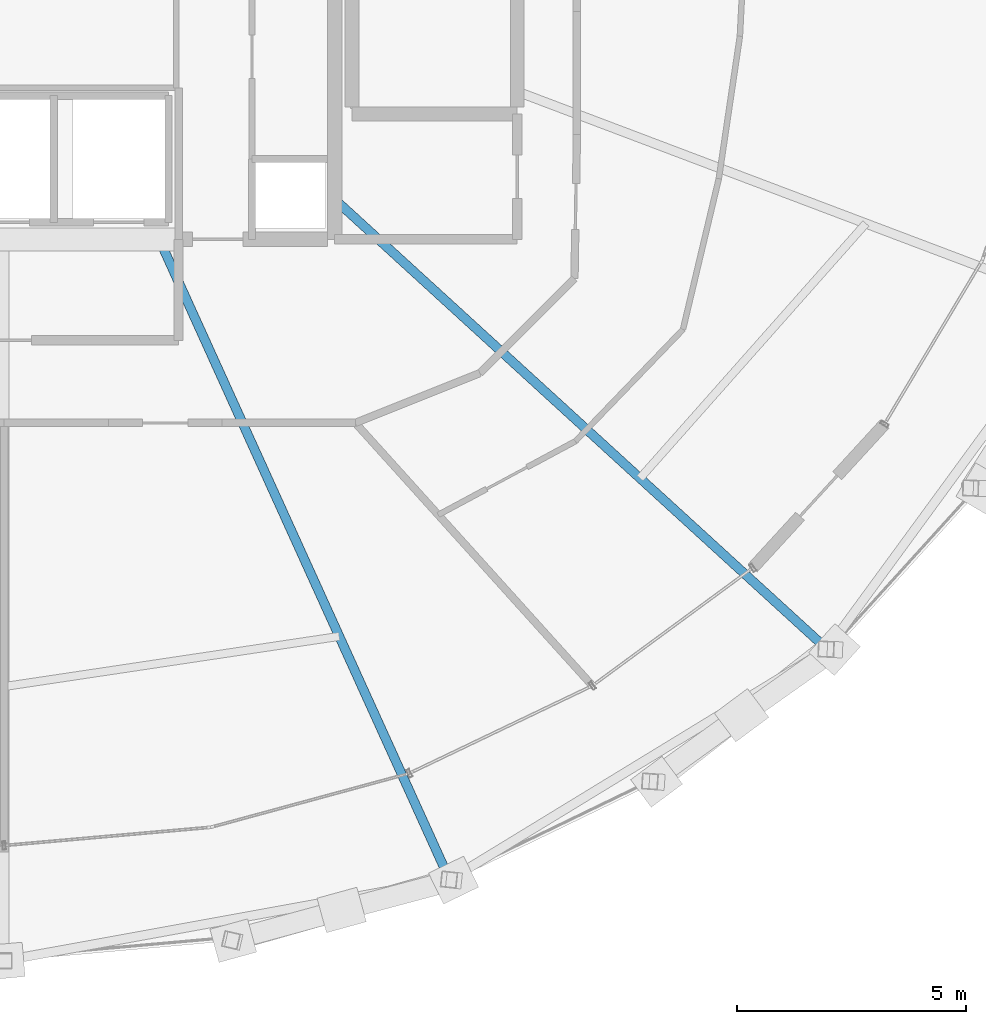
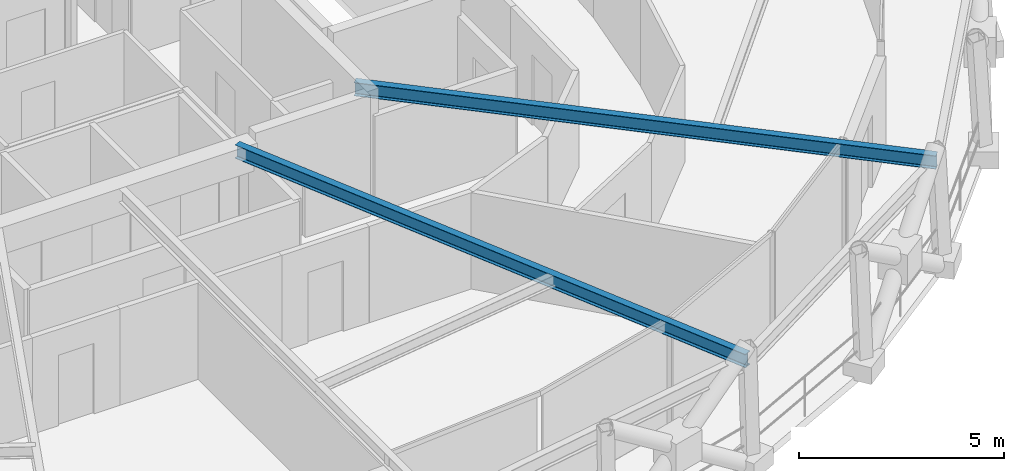
# One storey, part 5 of 17: 2 beams.
"""IFC4 building model written with IfcOpenShell, lengths in metres."""

from ifc_helpers import new_model, si_unit, direction, frame, origin, origin_2d, place, context, subcontext, project, spatial, i_section, extrude, material, material_profile, profile_set, type_object, element, save


model = new_model("IFC4")

# Units and contexts
model_context = context("Model", 3, precision=1e-05, world=origin(), true_north=direction((0.0, 1.0)))
body_context = subcontext(model_context, "Body", "Model", "MODEL_VIEW")
ifc_project = project(units=[si_unit("LENGTHUNIT", "METRE"), si_unit("AREAUNIT", "SQUARE_METRE"), si_unit("VOLUMEUNIT", "CUBIC_METRE"), si_unit("PLANEANGLEUNIT", "RADIAN"), si_unit("MASSUNIT", "GRAM", prefix="KILO")], contexts=[model_context])

# Site, building, storey
site_placement = place(None, origin())
site = spatial("IfcSite", under=ifc_project, at=site_placement, CompositionType="ELEMENT")
building_placement = place(site_placement, origin())
building = spatial("IfcBuilding", under=site, at=building_placement, Name="Veldorina Hangang Commons", CompositionType="ELEMENT")
storey_placement = place(building_placement, frame((0.0, 0.0, 214.800048828125)))
storey = spatial("IfcBuildingStorey", under=building, at=storey_placement, Name="L55", CompositionType="ELEMENT", Elevation=214.800048828125)

# Beams
ifc_material = material(Name="Steel SM355-TMC", Category="steel")
ifc_material_profile = material_profile(ifc_material, i_section(OverallWidth=0.199951171875, OverallDepth=0.39990234375, WebThickness=0.008056640625, FlangeThickness=0.012939453125, FilletRadius=0.012939453125, at=origin_2d()), Name="H-400x200x8x13")
ifc_profile_set = profile_set([ifc_material_profile], Name="Steel SM355-TMC")
beam_type = type_object("IfcBeamType", Name="BM-FG400", PredefinedType="BEAM", material=ifc_profile_set)
beam_1_placement = place(storey_placement, frame((35.378173828125, 16.550048828125, 3.159912109375), z_axis=(0.412972032093, -0.910743707477, 0.0), x_axis=(0.910743707477, 0.412972032093, 0.0)))
element("IfcBeam", 1, at=beam_1_placement, inside=storey, type_object=beam_type, Name="L55 radial floor girder 14", PredefinedType="BEAM", context=body_context, shape_type="SweptSolid", body=[
    extrude(i_section(OverallWidth=0.199951171875, OverallDepth=0.39990234375, WebThickness=0.008056640625, FlangeThickness=0.012939453125, FilletRadius=0.012939453125, at=origin_2d()), origin(), (0.0, 0.0, 1.0), 15.322265625),
])
beam_2_placement = place(storey_placement, frame((39.199951171875, 17.4228515625, 3.159912109375), z_axis=(0.738333144495, -0.674436185076, 0.0), x_axis=(0.674436185076, 0.738333144495, 0.0)))
element("IfcBeam", 2, at=beam_2_placement, inside=storey, type_object=beam_type, Name="L55 radial floor girder 15", PredefinedType="BEAM", context=body_context, shape_type="SweptSolid", body=[
    extrude(i_section(OverallWidth=0.199951171875, OverallDepth=0.39990234375, WebThickness=0.008056640625, FlangeThickness=0.012939453125, FilletRadius=0.012939453125, at=origin_2d()), origin(), (0.0, 0.0, 1.0), 14.538330078125),
])

save(model, "model.ifc")
